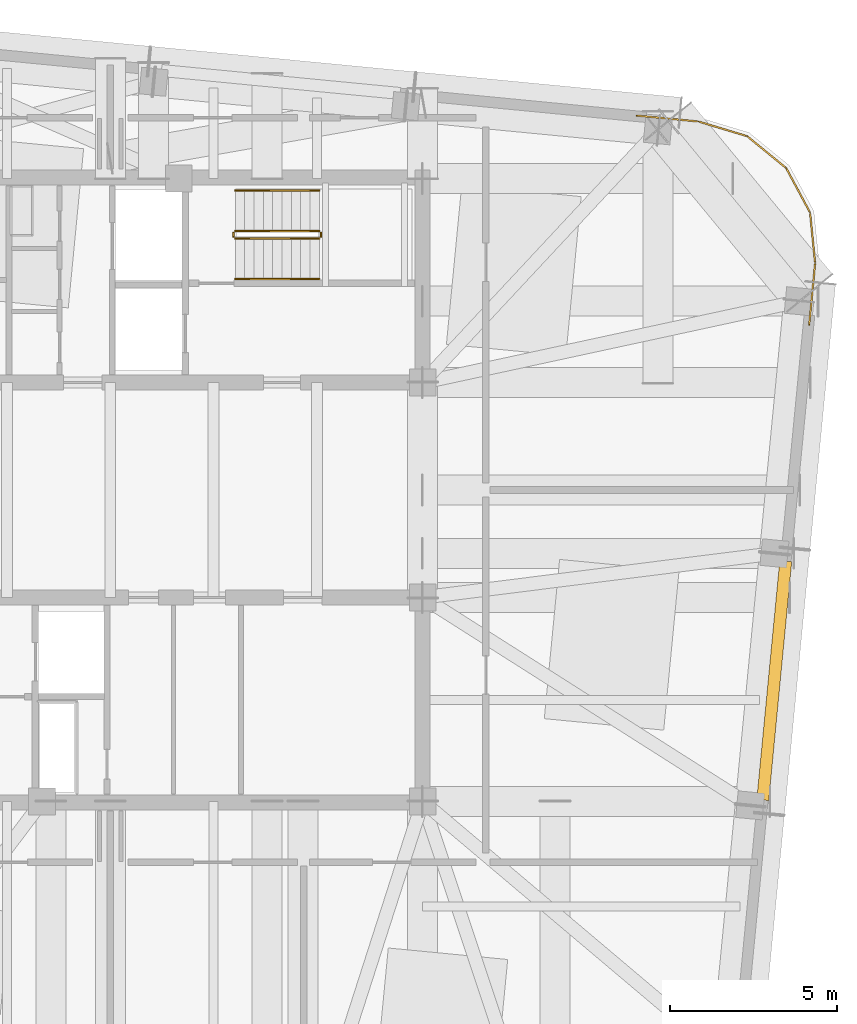
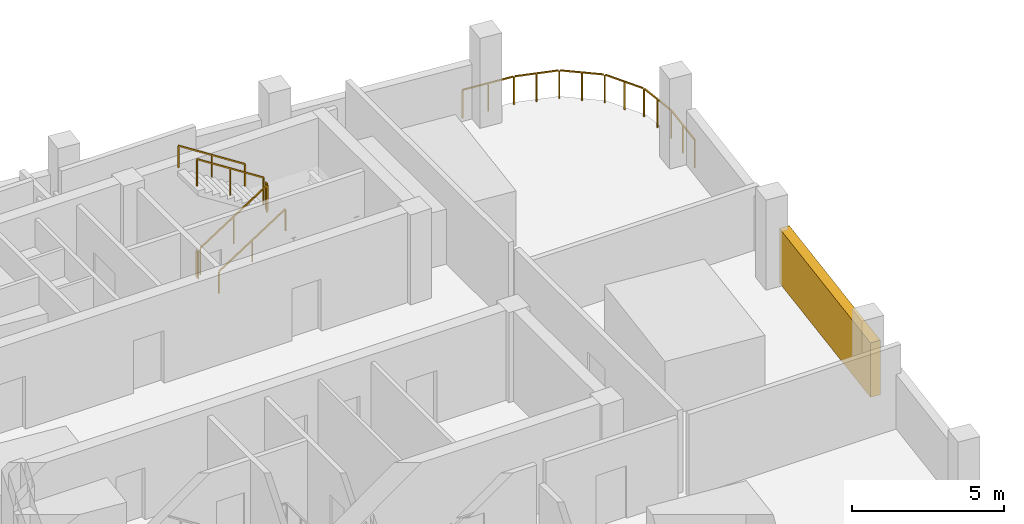
# One storey, part 9 of 10: 7 railings, 1 shading device.
"""IFC4 building model written with IfcOpenShell, lengths in metres."""

from ifc_helpers import new_model, si_unit, direction, frame, origin, origin_2d, place, context, subcontext, project, spatial, rectangle, extrude, material, type_object, element, save


model = new_model("IFC4")

# Units and contexts
model_context = context("Model", 3, precision=1e-05, world=origin(), true_north=direction((0.0, 1.0)))
body_context = subcontext(model_context, "Body", "Model", "MODEL_VIEW")
ifc_project = project(units=[si_unit("LENGTHUNIT", "METRE"), si_unit("AREAUNIT", "SQUARE_METRE"), si_unit("VOLUMEUNIT", "CUBIC_METRE"), si_unit("PLANEANGLEUNIT", "RADIAN"), si_unit("MASSUNIT", "GRAM", prefix="KILO")], contexts=[model_context])

# Site, building, storey
site_placement = place(None, origin())
site = spatial("IfcSite", under=ifc_project, at=site_placement, CompositionType="ELEMENT")
building_placement = place(site_placement, origin())
building = spatial("IfcBuilding", under=site, at=building_placement, Name="Qhalaya Broadcast Tower", CompositionType="ELEMENT")
storey_placement = place(building_placement, frame((0.0, 0.0, 289.25)))
storey = spatial("IfcBuildingStorey", under=building, at=storey_placement, Name="L85", CompositionType="ELEMENT", Elevation=289.25)

# Shading device
ifc_material_1 = material(Name="Fired Architectural Terracotta", Category="masonry")
shading_device_type = type_object("IfcShadingDeviceType", Name="Plant & Turbine-Slot Acoustic Louvre Screen LVS-01", PredefinedType="USERDEFINED", material=ifc_material_1)
shading_device_placement = place(storey_placement, frame((19.92431640625, -5.11767578125, 0.0), z_axis=(0.0, 0.0, 1.0), x_axis=(-0.09584575252, -0.995396198367, 0.0)))
element("IfcShadingDevice", 1, at=shading_device_placement, inside=storey, type_object=shading_device_type, Name="L85 Plant Acoustic Louvre Screen E", ObjectType="LOUVRE", PredefinedType="USERDEFINED", context=body_context, shape_type="SweptSolid", body=[
    extrude(rectangle(XDim=7.199951171875, YDim=0.360107421875, at=origin_2d()), origin(), (0.0, 0.0, 1.0), 2.181884765625),
])

# Railings
ifc_material_2 = material(Name="Powder-Coated Galvanised Steel", Category="steel")
railing_type_1 = type_object("IfcRailingType", Name="Stair Wall Handrail 900", PredefinedType="HANDRAIL", material=ifc_material_2)
railing_1_placement = place(storey_placement, frame((3.75, 6.929931640625, 0.179931640625)))
element("IfcRailing", 2, at=railing_1_placement, inside=storey, type_object=railing_type_1, Name="L85 ST-1 Stair Handrail 1", PredefinedType="HANDRAIL", context=body_context, shape_type="SweptSolid", body=[
    extrude(rectangle(XDim=0.048095703125, YDim=0.048095703125, at=origin_2d()), frame((0.0, 0.0, 0.8759765625), z_axis=(0.841162588446, 0.0, 0.540782303519), x_axis=(0.0, 1.0, 0.0)), (0.0, 0.0, 1.0), 2.995849609375),
    extrude(rectangle(XDim=0.0419921875, YDim=0.0419921875, at=origin_2d()), origin(), (0.0, 0.0, 1.0), 0.849853515625),
    extrude(rectangle(XDim=0.0419921875, YDim=0.0419921875, at=origin_2d()), frame((1.260009765625, 0.0, 0.81005859375)), (0.0, 0.0, 1.0), 0.849853515625),
    extrude(rectangle(XDim=0.0419921875, YDim=0.0419921875, at=origin_2d()), frame((2.52001953125, 0.0, 1.6201171875)), (0.0, 0.0, 1.0), 0.849853515625),
])
railing_2_placement = place(storey_placement, frame((6.27001953125, 9.590087890625, 1.97998046875)))
element("IfcRailing", 3, at=railing_2_placement, inside=storey, type_object=railing_type_1, Name="L85 ST-1 Stair Handrail 2", PredefinedType="HANDRAIL", context=body_context, shape_type="SweptSolid", body=[
    extrude(rectangle(XDim=0.048095703125, YDim=0.048095703125, at=origin_2d()), frame((0.0, 0.0, 0.8759765625), z_axis=(-0.841162588446, 0.0, 0.540782303519), x_axis=(0.0, -1.0, 0.0)), (0.0, 0.0, 1.0), 2.995849609375),
    extrude(rectangle(XDim=0.0419921875, YDim=0.0419921875, at=origin_2d()), origin(), (0.0, 0.0, 1.0), 0.849853515625),
    extrude(rectangle(XDim=0.0419921875, YDim=0.0419921875, at=origin_2d()), frame((-1.260009765625, 0.0, 0.81005859375)), (0.0, 0.0, 1.0), 0.849853515625),
    extrude(rectangle(XDim=0.0419921875, YDim=0.0419921875, at=origin_2d()), frame((-2.52001953125, 0.0, 1.6201171875)), (0.0, 0.0, 1.0), 0.849853515625),
])
railing_type_2 = type_object("IfcRailingType", Name="Stair Well & Landing Guardrail 1100", PredefinedType="GUARDRAIL", material=ifc_material_2)
railing_3_placement = place(storey_placement, frame((3.75, 8.14990234375, 0.179931640625)))
element("IfcRailing", 4, at=railing_3_placement, inside=storey, type_object=railing_type_2, Name="L85 ST-1 Stair Guard 1", PredefinedType="GUARDRAIL", context=body_context, shape_type="SweptSolid", body=[
    extrude(rectangle(XDim=0.048095703125, YDim=0.048095703125, at=origin_2d()), frame((0.0, 0.0, 1.076171875), z_axis=(0.841162588446, 0.0, 0.540782303519), x_axis=(0.0, 1.0, 0.0)), (0.0, 0.0, 1.0), 2.995849609375),
    extrude(rectangle(XDim=0.0419921875, YDim=0.0419921875, at=origin_2d()), origin(), (0.0, 0.0, 1.0), 1.050048828125),
    extrude(rectangle(XDim=0.0419921875, YDim=0.0419921875, at=origin_2d()), frame((1.260009765625, 0.0, 0.81005859375)), (0.0, 0.0, 1.0), 1.050048828125),
    extrude(rectangle(XDim=0.0419921875, YDim=0.0419921875, at=origin_2d()), frame((2.52001953125, 0.0, 1.6201171875)), (0.0, 0.0, 1.0), 1.050048828125),
])
railing_4_placement = place(storey_placement, frame((6.320068359375, 8.199951171875, 1.800048828125)))
element("IfcRailing", 5, at=railing_4_placement, inside=storey, type_object=railing_type_2, Name="L85 ST-1 Stair Guard 2", PredefinedType="GUARDRAIL", context=body_context, shape_type="SweptSolid", body=[
    extrude(rectangle(XDim=0.048095703125, YDim=0.048095703125, at=origin_2d()), frame((0.0, 0.0, 1.076171875), z_axis=(0.0, 1.0, 0.0), x_axis=(-1.0, 0.0, 0.0)), (0.0, 0.0, 1.0), 0.1201171875),
    extrude(rectangle(XDim=0.0419921875, YDim=0.0419921875, at=origin_2d()), origin(), (0.0, 0.0, 1.0), 1.050048828125),
    extrude(rectangle(XDim=0.0419921875, YDim=0.0419921875, at=origin_2d()), frame((0.0, 0.1201171875, 0.0)), (0.0, 0.0, 1.0), 1.050048828125),
])
railing_5_placement = place(storey_placement, frame((6.27001953125, 8.3701171875, 1.97998046875)))
element("IfcRailing", 6, at=railing_5_placement, inside=storey, type_object=railing_type_2, Name="L85 ST-1 Stair Guard 3", PredefinedType="GUARDRAIL", context=body_context, shape_type="SweptSolid", body=[
    extrude(rectangle(XDim=0.048095703125, YDim=0.048095703125, at=origin_2d()), frame((0.0, 0.0, 1.076171875), z_axis=(-0.841162588446, 0.0, 0.540782303519), x_axis=(0.0, -1.0, 0.0)), (0.0, 0.0, 1.0), 2.995849609375),
    extrude(rectangle(XDim=0.0419921875, YDim=0.0419921875, at=origin_2d()), origin(), (0.0, 0.0, 1.0), 1.050048828125),
    extrude(rectangle(XDim=0.0419921875, YDim=0.0419921875, at=origin_2d()), frame((-1.260009765625, 0.0, 0.81005859375)), (0.0, 0.0, 1.0), 1.050048828125),
    extrude(rectangle(XDim=0.0419921875, YDim=0.0419921875, at=origin_2d()), frame((-2.52001953125, 0.0, 1.6201171875)), (0.0, 0.0, 1.0), 1.050048828125),
])
railing_6_placement = place(storey_placement, frame((3.699951171875, 8.199951171875, 0.0)))
element("IfcRailing", 7, at=railing_6_placement, inside=storey, type_object=railing_type_2, Name="L85 ST-1 Stair Guard 4", PredefinedType="GUARDRAIL", context=body_context, shape_type="SweptSolid", body=[
    extrude(rectangle(XDim=0.048095703125, YDim=0.048095703125, at=origin_2d()), frame((0.0, 0.0, 1.076171875), z_axis=(0.0, 1.0, 0.0), x_axis=(-1.0, 0.0, 0.0)), (0.0, 0.0, 1.0), 0.1201171875),
    extrude(rectangle(XDim=0.0419921875, YDim=0.0419921875, at=origin_2d()), origin(), (0.0, 0.0, 1.0), 1.050048828125),
    extrude(rectangle(XDim=0.0419921875, YDim=0.0419921875, at=origin_2d()), frame((0.0, 0.1201171875, 0.0)), (0.0, 0.0, 1.0), 1.050048828125),
])
railing_type_3 = type_object("IfcRailingType", Name="Terrace, Sky-Pool & Lookout Glass Balustrade 1150", PredefinedType="BALUSTRADE", material=ifc_material_2)
railing_7_placement = place(storey_placement, frame((15.802001953125, 11.83544921875, 0.0)))
element("IfcRailing", 8, at=railing_7_placement, inside=storey, type_object=railing_type_3, Name="L85 Rounded Corner Perimeter Guard 04", PredefinedType="BALUSTRADE", context=body_context, shape_type="SweptSolid", body=[
    extrude(rectangle(XDim=0.048095703125, YDim=0.048095703125, at=origin_2d()), frame((0.0, 0.0, 1.1259765625), z_axis=(0.995405172575, -0.09575250603, 0.0), x_axis=(0.09575250603, 0.995405172575, 0.0)), (0.0, 0.0, 1.0), 1.827392578125),
    extrude(rectangle(XDim=0.048095703125, YDim=0.048095703125, at=origin_2d()), frame((1.875244140625, -0.18603515625, 1.1259765625), z_axis=(0.957543864426, -0.28828761281, 0.0), x_axis=(0.28828761281, 0.957543864426, 0.0)), (0.0, 0.0, 1.0), 1.467529296875),
    extrude(rectangle(XDim=0.048095703125, YDim=0.048095703125, at=origin_2d()), frame((3.33056640625, -0.6357421875, 1.1259765625), z_axis=(0.774388490212, -0.632710412611, 0.0), x_axis=(0.632710412611, 0.774388490212, 0.0)), (0.0, 0.0, 1.0), 1.455322265625),
    extrude(rectangle(XDim=0.048095703125, YDim=0.048095703125, at=origin_2d()), frame((4.493408203125, -1.60009765625, 1.1259765625), z_axis=(0.473291304579, -0.880905977395, 0.0), x_axis=(0.880905977395, 0.473291304579, 0.0)), (0.0, 0.0, 1.0), 1.455322265625),
    extrude(rectangle(XDim=0.048095703125, YDim=0.048095703125, at=origin_2d()), frame((5.19873046875, -2.936279296875, 1.1259765625), z_axis=(0.100216970219, -0.994965606883, 0.0), x_axis=(0.994965606883, 0.100216970219, 0.0)), (0.0, 0.0, 1.0), 1.46728515625),
    extrude(rectangle(XDim=0.048095703125, YDim=0.048095703125, at=origin_2d()), frame((5.345947265625, -4.45361328125, 1.1259765625), z_axis=(-0.095882825813, -0.995392627918, 0.0), x_axis=(0.995392627918, -0.095882825813, 0.0)), (0.0, 0.0, 1.0), 1.827392578125),
    extrude(rectangle(XDim=0.0419921875, YDim=0.0419921875, at=origin_2d()), origin(), (0.0, 0.0, 1.0), 1.099853515625),
    extrude(rectangle(XDim=0.0419921875, YDim=0.0419921875, at=origin_2d()), frame((0.923828125, -0.0888671875, 0.0)), (0.0, 0.0, 1.0), 1.099853515625),
    extrude(rectangle(XDim=0.0419921875, YDim=0.0419921875, at=origin_2d()), frame((1.84765625, -0.177734375, 0.0)), (0.0, 0.0, 1.0), 1.099853515625),
    extrude(rectangle(XDim=0.0419921875, YDim=0.0419921875, at=origin_2d()), frame((2.577880859375, -0.3974609375, 0.0)), (0.0, 0.0, 1.0), 1.099853515625),
    extrude(rectangle(XDim=0.0419921875, YDim=0.0419921875, at=origin_2d()), frame((3.30810546875, -0.617431640625, 0.0)), (0.0, 0.0, 1.0), 1.099853515625),
    extrude(rectangle(XDim=0.0419921875, YDim=0.0419921875, at=origin_2d()), frame((3.89404296875, -1.09619140625, 0.0)), (0.0, 0.0, 1.0), 1.099853515625),
    extrude(rectangle(XDim=0.0419921875, YDim=0.0419921875, at=origin_2d()), frame((4.479736328125, -1.57470703125, 0.0)), (0.0, 0.0, 1.0), 1.099853515625),
    extrude(rectangle(XDim=0.0419921875, YDim=0.0419921875, at=origin_2d()), frame((4.837890625, -2.2412109375, 0.0)), (0.0, 0.0, 1.0), 1.099853515625),
    extrude(rectangle(XDim=0.0419921875, YDim=0.0419921875, at=origin_2d()), frame((5.19580078125, -2.907470703125, 0.0)), (0.0, 0.0, 1.0), 1.099853515625),
    extrude(rectangle(XDim=0.0419921875, YDim=0.0419921875, at=origin_2d()), frame((5.272216796875, -3.666015625, 0.0)), (0.0, 0.0, 1.0), 1.099853515625),
    extrude(rectangle(XDim=0.0419921875, YDim=0.0419921875, at=origin_2d()), frame((5.3486328125, -4.4248046875, 0.0)), (0.0, 0.0, 1.0), 1.099853515625),
    extrude(rectangle(XDim=0.0419921875, YDim=0.0419921875, at=origin_2d()), frame((5.259765625, -5.3486328125, 0.0)), (0.0, 0.0, 1.0), 1.099853515625),
    extrude(rectangle(XDim=0.0419921875, YDim=0.0419921875, at=origin_2d()), frame((5.170654296875, -6.2724609375, 0.0)), (0.0, 0.0, 1.0), 1.099853515625),
])

save(model, "model.ifc")
